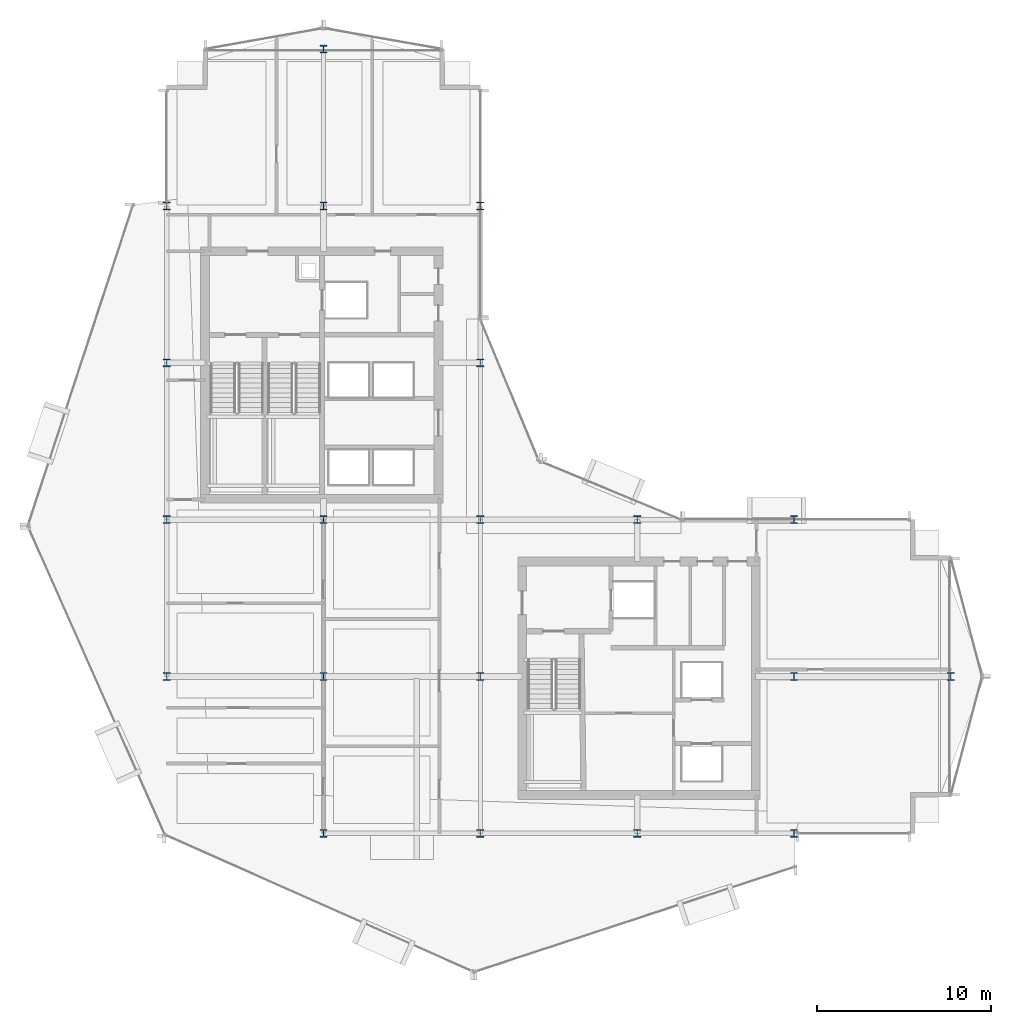
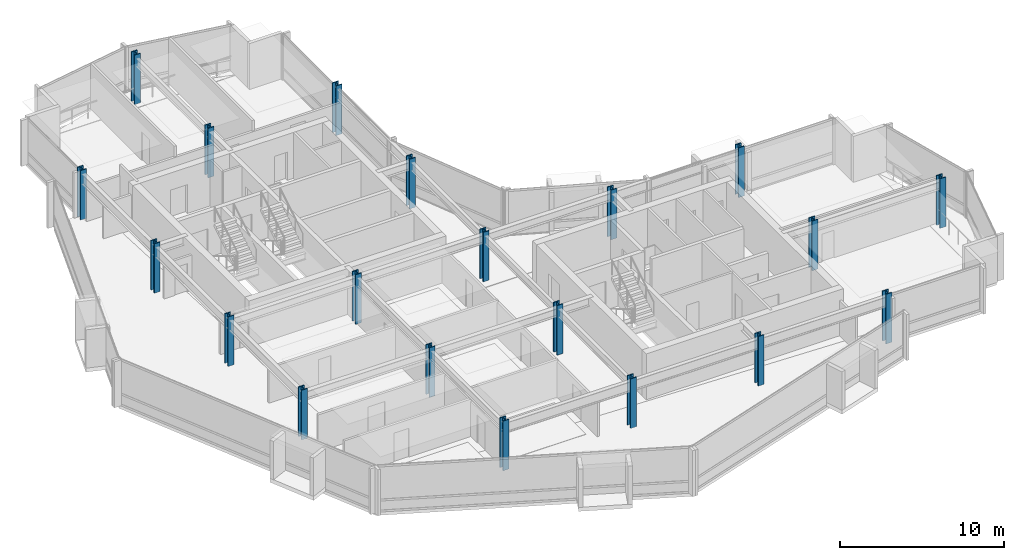
# One storey, part 1 of 29: 20 columns.
"""IFC4 building model written with IfcOpenShell, lengths in metres."""

from ifc_helpers import new_model, si_unit, direction, frame, origin, origin_2d, place, context, subcontext, project, spatial, i_section, extrude, material, material_profile, profile_set, type_object, element, save


model = new_model("IFC4")

# Units and contexts
model_context = context("Model", 3, precision=1e-05, world=origin(), true_north=direction((0.0, 1.0)))
body_context = subcontext(model_context, "Body", "Model", "MODEL_VIEW")
ifc_project = project(units=[si_unit("LENGTHUNIT", "METRE"), si_unit("AREAUNIT", "SQUARE_METRE"), si_unit("VOLUMEUNIT", "CUBIC_METRE"), si_unit("PLANEANGLEUNIT", "RADIAN"), si_unit("MASSUNIT", "GRAM", prefix="KILO")], contexts=[model_context])

# Site, building, storey
site_placement = place(None, origin())
site = spatial("IfcSite", under=ifc_project, at=site_placement, CompositionType="ELEMENT")
building_placement = place(site_placement, origin())
building = spatial("IfcBuilding", under=site, at=building_placement, Name="Solvaryn Broadcast Tower", CompositionType="ELEMENT")
storey_placement = place(building_placement, frame((0.0, 0.0, 128.5)))
storey = spatial("IfcBuildingStorey", under=building, at=storey_placement, Name="L31", CompositionType="ELEMENT", Elevation=128.5)

# Columns
ifc_material_1 = material(Name="Steel ASTM A913 Grade 65", Category="steel")
ifc_material_profile_1 = material_profile(ifc_material_1, i_section(OverallWidth=0.41796875, OverallDepth=0.455078125, WebThickness=0.0419921875, FlangeThickness=0.067626953125, FilletRadius=0.014892578125, at=origin_2d()))
ifc_profile_set_1 = profile_set([ifc_material_profile_1], Name="Steel ASTM A913 Grade 65")
column_type_1 = type_object("IfcColumnType", Name="COL-C05E-W14X370", PredefinedType="COLUMN", material=ifc_profile_set_1)
for number, where, z_axis, x_axis, name in (
    (1, (9.0, 18.0, 0.0), (0.0, 0.0, 1.0), (1.0, 0.0, 0.0), "L31 Column (9.0, 18.0)"),
    (2, (9.0, 27.0, 0.0), (0.0, 0.0, 1.0), (1.0, 0.0, 0.0), "L31 Column (9.0, 27.0)"),
    (3, (9.0, 36.0, 0.0), (0.0, 0.0, 1.0), (1.0, 0.0, 0.0), "L31 Column (9.0, 36.0)"),
    (4, (9.0, 45.0, 0.0), (0.0, 0.0, 1.0), (1.0, 0.0, 0.0), "L31 Column (9.0, 45.0)"),
    (5, (18.0, 9.0, 0.0), (0.0, 0.0, 1.0), (1.0, 0.0, 0.0), "L31 Column (18.0, 9.0)"),
    (6, (18.0, 54.0, 0.0), (0.0, 0.0, 1.0), (1.0, 0.0, 0.0), "L31 Column (18.0, 54.0)"),
    (7, (27.0, 9.0, 0.0), (0.0, 0.0, 1.0), (1.0, 0.0, 0.0), "L31 Column (27.0, 9.0)"),
    (8, (27.0, 36.0, 0.0), (0.0, 0.0, 1.0), (1.0, 0.0, 0.0), "L31 Column (27.0, 36.0)"),
    (9, (27.0, 45.0, 0.0), (0.0, 0.0, 1.0), (1.0, 0.0, 0.0), "L31 Column (27.0, 45.0)"),
    (10, (36.0, 9.0, 0.0), (0.0, 0.0, 1.0), (1.0, 0.0, 0.0), "L31 Column (36.0, 9.0)"),
    (11, (36.0, 27.0, 0.0), (0.0, 0.0, 1.0), (1.0, 0.0, 0.0), "L31 Column (36.0, 27.0)"),
    (12, (45.0, 9.0, 0.0), (0.0, 0.0, 1.0), (1.0, 0.0, 0.0), "L31 Column (45.0, 9.0)"),
    (13, (45.0, 27.0, 0.0), (0.0, 0.0, 1.0), (1.0, 0.0, 0.0), "L31 Column (45.0, 27.0)"),
    (14, (54.0, 18.0, 0.0), (0.0, 0.0, 1.0), (1.0, 0.0, 0.0), "L31 Column (54.0, 18.0)"),
):
    element("IfcColumn", number, at=place(storey_placement, frame(where, z_axis=z_axis, x_axis=x_axis)), inside=storey, type_object=column_type_1, Name=name, PredefinedType="COLUMN", context=body_context, shape_type="SweptSolid", body=[
        extrude(i_section(OverallWidth=0.41796875, OverallDepth=0.455078125, WebThickness=0.0419921875, FlangeThickness=0.067626953125, FilletRadius=0.014892578125, at=origin_2d()), origin(), (0.0, 0.0, 1.0), 3.699951171875),
    ])
ifc_material_2 = material(Name="Steel ASTM A913 Grade 65", Category="steel")
ifc_material_profile_2 = material_profile(ifc_material_2, i_section(OverallWidth=0.41796875, OverallDepth=0.455078125, WebThickness=0.0419921875, FlangeThickness=0.067626953125, FilletRadius=0.014892578125, at=origin_2d()))
ifc_profile_set_2 = profile_set([ifc_material_profile_2], Name="Steel ASTM A913 Grade 65")
column_type_2 = type_object("IfcColumnType", Name="COL-C05I-W14X370", PredefinedType="COLUMN", material=ifc_profile_set_2)
for number, where, z_axis, x_axis, name in (
    (15, (18.0, 18.0, 0.0), (0.0, 0.0, 1.0), (1.0, 0.0, 0.0), "L31 Column (18.0, 18.0)"),
    (16, (18.0, 27.0, 0.0), (0.0, 0.0, 1.0), (1.0, 0.0, 0.0), "L31 Column (18.0, 27.0)"),
    (17, (18.0, 45.0, 0.0), (0.0, 0.0, 1.0), (1.0, 0.0, 0.0), "L31 Column (18.0, 45.0)"),
    (18, (27.0, 18.0, 0.0), (0.0, 0.0, 1.0), (1.0, 0.0, 0.0), "L31 Column (27.0, 18.0)"),
    (19, (27.0, 27.0, 0.0), (0.0, 0.0, 1.0), (1.0, 0.0, 0.0), "L31 Column (27.0, 27.0)"),
    (20, (45.0, 18.0, 0.0), (0.0, 0.0, 1.0), (1.0, 0.0, 0.0), "L31 Column (45.0, 18.0)"),
):
    element("IfcColumn", number, at=place(storey_placement, frame(where, z_axis=z_axis, x_axis=x_axis)), inside=storey, type_object=column_type_2, Name=name, PredefinedType="COLUMN", context=body_context, shape_type="SweptSolid", body=[
        extrude(i_section(OverallWidth=0.41796875, OverallDepth=0.455078125, WebThickness=0.0419921875, FlangeThickness=0.067626953125, FilletRadius=0.014892578125, at=origin_2d()), origin(), (0.0, 0.0, 1.0), 3.699951171875),
    ])

save(model, "model.ifc")
